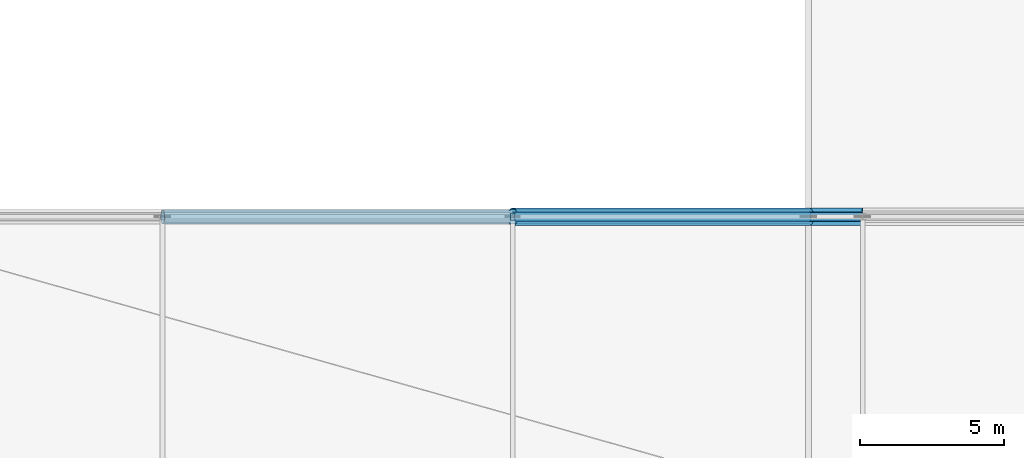
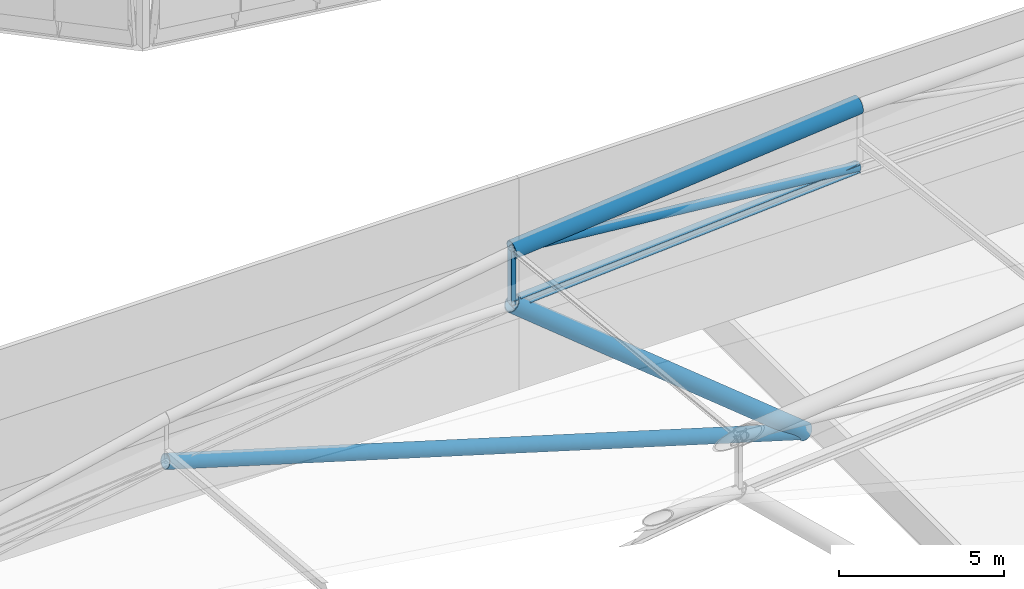
# One storey, part 50 of 113: 6 members.
"""IFC4 building model written with IfcOpenShell, lengths in metres."""

import ifcopenshell
import ifcopenshell.guid

model = None  # the IFC model being written
_history = None  # IfcOwnerHistory: only IFC2X3 demands one
_inside = {}  # id of a spatial element -> (the spatial element, [elements in it])
_under = {}  # id of a project, library or spatial element -> (it, [spatial elements below it])
_declared = {}  # id of a project -> (the project, [libraries it declares])
_typed = {}  # id of a type object -> (the type object, [elements of that type])
_made_of = {}  # id of a material, layer set ... -> (it, [elements and type objects made of it])


def new_model(schema):
    """Start an empty IFC model of exactly this schema.

    Asked for "IFC4X3", IfcOpenShell would pick the latest addendum, in which some entities
    have other attributes; the version numbers below select the first issue.
    IFC2X3 requires an IfcOwnerHistory on every rooted entity: one is made here for all.
    """
    global model, _history
    if schema == "IFC4X3":
        model = ifcopenshell.file(schema_version=(4, 3, 0, 0))
    else:
        model = ifcopenshell.file(schema=schema)
    _inside.clear()
    _under.clear()
    _declared.clear()
    _typed.clear()
    _made_of.clear()
    _history = None
    if model.schema == "IFC2X3":
        org = make("IfcOrganization", Name="unknown")
        user = make(
            "IfcPersonAndOrganization",
            ThePerson=make("IfcPerson", FamilyName="unknown"),
            TheOrganization=org,
        )
        app = make(
            "IfcApplication",
            ApplicationDeveloper=org,
            Version="unknown",
            ApplicationFullName="unknown",
            ApplicationIdentifier="unknown",
        )
        _history = make(
            "IfcOwnerHistory",
            OwningUser=user,
            OwningApplication=app,
            ChangeAction="ADDED",
            CreationDate=0,
        )
    return model


def make(cls, **values):
    """One entity of the class cls with the attributes given. An attribute that is None is left unset."""
    return model.create_entity(
        cls, **{name: value for name, value in values.items() if value is not None}
    )


def rooted(cls, **values):
    """An entity with a GlobalId (a new one), such as an element, a storey or a relation."""
    return make(cls, GlobalId=ifcopenshell.guid.new(), OwnerHistory=_history, **values)


def si_unit(unit_type, name, prefix=None):
    """IfcSIUnit, for example si_unit("LENGTHUNIT", "METRE", prefix="MILLI")."""
    return make("IfcSIUnit", UnitType=unit_type, Prefix=prefix, Name=name)


def assignment(units):
    """IfcUnitAssignment: the units of a project."""
    return None if units is None else make("IfcUnitAssignment", Units=units)


def point(xyz):
    """IfcCartesianPoint."""
    return None if xyz is None else make("IfcCartesianPoint", Coordinates=xyz)


def direction(xyz):
    """IfcDirection."""
    return None if xyz is None else make("IfcDirection", DirectionRatios=xyz)


def frame(location, z_axis=None, x_axis=None):
    """IfcAxis2Placement3D, a coordinate frame: its origin and axes. An axis left out is left unset."""
    return make(
        "IfcAxis2Placement3D",
        Location=point(location),
        Axis=direction(z_axis),
        RefDirection=direction(x_axis),
    )


def frame_2d(location, x_axis=None):
    """IfcAxis2Placement2D, a coordinate frame in the plane: its origin and x axis."""
    return make(
        "IfcAxis2Placement2D", Location=point(location), RefDirection=direction(x_axis)
    )


def origin():
    """The frame at (0, 0, 0) with its axes left unset."""
    return frame((0.0, 0.0, 0.0))


def origin_2d():
    """The frame at (0, 0) in the plane with its x axis left unset."""
    return frame_2d((0.0, 0.0))


def place(relative_to, where):
    """IfcLocalPlacement: puts the frame where relative to a parent placement (None: the world)."""
    return make(
        "IfcLocalPlacement", PlacementRelTo=relative_to, RelativePlacement=where
    )


def context(
    kind, dimensions, precision=None, world=None, true_north=None, identifier=None
):
    """IfcGeometricRepresentationContext, for example the 3D "Model" context."""
    return make(
        "IfcGeometricRepresentationContext",
        ContextIdentifier=identifier,
        ContextType=kind,
        CoordinateSpaceDimension=dimensions,
        Precision=precision,
        WorldCoordinateSystem=world,
        TrueNorth=true_north,
    )


def subcontext(parent, identifier, kind, view, scale=None):
    """IfcGeometricRepresentationSubContext, for example "Body" below "Model"."""
    return make(
        "IfcGeometricRepresentationSubContext",
        ContextIdentifier=identifier,
        ContextType=kind,
        ParentContext=parent,
        TargetScale=scale,
        TargetView=view,
    )


def project(units=None, contexts=None):
    """IfcProject with its units and contexts."""
    return rooted(
        "IfcProject",
        Name="project",
        RepresentationContexts=contexts,
        UnitsInContext=assignment(units),
    )


def spatial(cls, under=None, at=None, **own):
    """A site, building, storey or space (cls), placed at a placement, below another one or the project."""
    s = rooted(cls, ObjectPlacement=at, **own)
    if under is not None:
        _under.setdefault(under.id(), (under, []))[1].append(s)
    return s


def profile(cls, at=None, kind="AREA", **sizes):
    """A parametric profile (cls). Its sizes go by their IFC names, for example OverallWidth=200.0."""
    return make(cls, ProfileType=kind, Position=at, **sizes)


def hollow_rectangle(**sizes):
    """IfcRectangleHollowProfileDef."""
    return profile("IfcRectangleHollowProfileDef", **sizes)


def hollow_circle(**sizes):
    """IfcCircleHollowProfileDef."""
    return profile("IfcCircleHollowProfileDef", **sizes)


def i_section(**sizes):
    """IfcIShapeProfileDef."""
    return profile("IfcIShapeProfileDef", **sizes)


def extrude(swept, where, along, depth):
    """IfcExtrudedAreaSolid: the profile swept, set in the frame where, extruded along a direction by depth."""
    return make(
        "IfcExtrudedAreaSolid",
        SweptArea=swept,
        Position=where,
        ExtrudedDirection=direction(along),
        Depth=depth,
    )


def shape(context_of_items, identifier, shape_type, items):
    """IfcShapeRepresentation: the items that make up one representation, for example the "Body"."""
    return make(
        "IfcShapeRepresentation",
        ContextOfItems=context_of_items,
        RepresentationIdentifier=identifier,
        RepresentationType=shape_type,
        Items=items,
    )


def material(Name=None, Category=None):
    """IfcMaterial."""
    return make("IfcMaterial", Name=Name, Category=Category)


def material_profile(
    of_material, cross_section, Name=None, Category=None, Priority=None
):
    """IfcMaterialProfile: a cross section and its material."""
    return make(
        "IfcMaterialProfile",
        Name=Name,
        Material=of_material,
        Profile=cross_section,
        Priority=Priority,
        Category=Category,
    )


def profile_set(profiles, Name=None, composite=None):
    """IfcMaterialProfileSet."""
    return make(
        "IfcMaterialProfileSet",
        Name=Name,
        MaterialProfiles=profiles,
        CompositeProfile=composite,
    )


def made_of(thing, what):
    """Note that an element or type object is made of a material, layer set ...; save() writes the relation."""
    if what is not None:
        _made_of.setdefault(what.id(), (what, []))[1].append(thing)
    return thing


def type_object(cls, material=None, **own):
    """A type object (cls), such as IfcWallType, which elements share."""
    return made_of(rooted(cls, **own), material)


def element(
    cls,
    number,
    at=None,
    inside=None,
    cuts=None,
    type_object=None,
    material=None,
    context=None,
    identifier="Body",
    shape_type=None,
    held_by="IfcProductDefinitionShape",
    body=None,
    shapes=None,
    **own,
):
    """One element of the class cls, such as IfcWall. Its Tag is "e" and its number.

    at: its placement. inside: the storey or other place that contains it. cuts: it is an
    opening in that element (IfcRelVoidsElement). A single representation is given by context,
    identifier, shape_type and body (its items); several are given by shapes. held_by: the class
    of the entity that holds the representations. save() writes the other relations.
    """
    e = rooted(cls, Tag="e%d" % number, ObjectPlacement=at, **own)
    if body is not None:
        shapes = [shape(context, identifier, shape_type, body)]
    if shapes is not None:
        e.Representation = make(held_by, Representations=shapes)
    if inside is not None:
        _inside.setdefault(inside.id(), (inside, []))[1].append(e)
    if cuts is not None:
        rooted(
            "IfcRelVoidsElement", RelatingBuildingElement=cuts, RelatedOpeningElement=e
        )
    if type_object is not None:
        _typed.setdefault(type_object.id(), (type_object, []))[1].append(e)
    return made_of(e, material)


def aggregate(whole, parts):
    """IfcRelAggregates: a whole, such as a stair, and the parts it consists of."""
    return rooted("IfcRelAggregates", RelatingObject=whole, RelatedObjects=parts)


def save(model, path):
    """Write the relations noted so far, then the file.

    IfcRelAggregates (storeys below a building ...), IfcRelContainedInSpatialStructure (elements
    in a storey), IfcRelDefinesByType, IfcRelAssociatesMaterial and IfcRelDeclares: one each for
    every whole, place, type object, material and project.
    """
    for whole, parts in _under.values():
        aggregate(whole, parts)
    for where, things in _inside.values():
        rooted(
            "IfcRelContainedInSpatialStructure",
            RelatedElements=things,
            RelatingStructure=where,
        )
    for kind, things in _typed.values():
        rooted("IfcRelDefinesByType", RelatedObjects=things, RelatingType=kind)
    for what, things in _made_of.values():
        rooted("IfcRelAssociatesMaterial", RelatedObjects=things, RelatingMaterial=what)
    for by, libraries in _declared.values():
        rooted("IfcRelDeclares", RelatingContext=by, RelatedDefinitions=libraries)
    model.write(path)


model = new_model("IFC4")

# Units and contexts
model_context = context("Model", 3, precision=1e-05, world=origin(), true_north=direction((0.0, 1.0)))
body_context = subcontext(model_context, "Body", "Model", "MODEL_VIEW")
ifc_project = project(units=[si_unit("LENGTHUNIT", "METRE"), si_unit("AREAUNIT", "SQUARE_METRE"), si_unit("VOLUMEUNIT", "CUBIC_METRE"), si_unit("PLANEANGLEUNIT", "RADIAN"), si_unit("MASSUNIT", "GRAM", prefix="KILO")], contexts=[model_context])

# Site, building, storey
site_placement = place(None, origin())
site = spatial("IfcSite", under=ifc_project, at=site_placement, CompositionType="ELEMENT")
building_placement = place(site_placement, origin())
building = spatial("IfcBuilding", under=site, at=building_placement, Name="Linyun Crest Stadium", CompositionType="ELEMENT")
storey_placement = place(building_placement, frame((0.0, 0.0, 26.39990234375)))
storey = spatial("IfcBuildingStorey", under=building, at=storey_placement, Name="L06", CompositionType="ELEMENT", Elevation=26.39990234375)

# Members
ifc_material_1 = material(Name="Steel Q420C", Category="steel")
ifc_material_profile_1 = material_profile(ifc_material_1, hollow_circle(Radius=0.25390625, WallThickness=0.02490234375, at=origin_2d()), Name="CHS 508x25")
ifc_profile_set_1 = profile_set([ifc_material_profile_1], Name="Steel Q420C")
member_type_1 = type_object("IfcMemberType", Name="TC01", PredefinedType="CHORD", material=ifc_profile_set_1)
member_1_placement = place(storey_placement, frame((70.0, 43.375, -0.21484375), z_axis=(-0.957680635582, 0.0, 0.287832938058), x_axis=(0.0, -1.0, 0.0)))
element("IfcMember", 1, at=member_1_placement, inside=storey, type_object=member_type_1, Name="Roof arch forward V-strut TC01 V2 332", PredefinedType="CHORD", context=body_context, shape_type="SweptSolid", body=[
    extrude(hollow_circle(Radius=0.25390625, WallThickness=0.02490234375, at=origin_2d()), origin(), (0.0, 0.0, 1.0), 23.36376953125),
])
ifc_material_2 = material(Name="Steel Q420C", Category="steel")
ifc_material_profile_2 = material_profile(ifc_material_2, hollow_circle(Radius=0.304931640625, WallThickness=0.030029296875, at=origin_2d()), Name="CHS 610x30")
ifc_profile_set_2 = profile_set([ifc_material_profile_2], Name="Steel Q420C")
member_type_2 = type_object("IfcMemberType", Name="TC02", PredefinedType="CHORD", material=ifc_profile_set_2)
member_2_placement = place(storey_placement, frame((71.875, 43.375, 11.22509765625), z_axis=(-0.995715823804, 0.0, -0.092466200455), x_axis=(0.0, -1.0, 0.0)))
element("IfcMember", 2, at=member_2_placement, inside=storey, type_object=member_type_2, Name="Roof truss top chord TC02 V2 319", PredefinedType="CHORD", context=body_context, shape_type="SweptSolid", body=[
    extrude(hollow_circle(Radius=0.304931640625, WallThickness=0.030029296875, at=origin_2d()), origin(), (0.0, 0.0, 1.0), 12.17724609375),
])
member_3_placement = place(storey_placement, frame((70.0, 43.375, -0.21484375), z_axis=(-0.775752151556, 0.0, 0.631037716271), x_axis=(0.0, -1.0, 0.0)))
element("IfcMember", 3, at=member_3_placement, inside=storey, type_object=member_type_2, Name="Roof arch inclined support strut TC02 V2 331", PredefinedType="CHORD", context=body_context, shape_type="SweptSolid", body=[
    extrude(hollow_circle(Radius=0.304931640625, WallThickness=0.030029296875, at=origin_2d()), origin(), (0.0, 0.0, 1.0), 13.212890625),
])
ifc_material_3 = material(Name="Steel Q355C", Category="steel")
ifc_material_profile_3 = material_profile(ifc_material_3, i_section(OverallWidth=0.300048828125, OverallDepth=0.300048828125, WebThickness=0.010009765625, FlangeThickness=0.014892578125, at=origin_2d()), Name="HW 300x300")
ifc_profile_set_3 = profile_set([ifc_material_profile_3], Name="Steel Q355C")
member_type_3 = type_object("IfcMemberType", Name="TC03", PredefinedType="CHORD", material=ifc_profile_set_3)
member_4_placement = place(storey_placement, frame((71.875, 43.375, 8.93701171875), z_axis=(-0.997754293797, 0.0, -0.066980364359), x_axis=(0.0, -1.0, 0.0)))
element("IfcMember", 4, at=member_4_placement, inside=storey, type_object=member_type_3, Name="Roof truss bottom chord TC03 V2 320", PredefinedType="CHORD", context=body_context, shape_type="SweptSolid", body=[
    extrude(i_section(OverallWidth=0.300048828125, OverallDepth=0.300048828125, WebThickness=0.010009765625, FlangeThickness=0.014892578125, at=origin_2d()), origin(), (0.0, 0.0, 1.0), 12.15234375),
])
ifc_material_4 = material(Name="Steel Q355C", Category="steel")
ifc_material_profile_4 = material_profile(ifc_material_4, hollow_circle(Radius=0.16259765625, WallThickness=0.01611328125, at=origin_2d()), Name="CHS 325x16")
ifc_profile_set_4 = profile_set([ifc_material_profile_4], Name="Steel Q355C")
member_type_4 = type_object("IfcMemberType", Name="TD02", PredefinedType="BRACE", material=ifc_profile_set_4)
member_5_placement = place(storey_placement, frame((71.875, 43.375, 8.93701171875), z_axis=(-0.995438360676, 0.0, 0.095406866076), x_axis=(0.0, -1.0, 0.0)))
element("IfcMember", 5, at=member_5_placement, inside=storey, type_object=member_type_4, Name="Roof truss diagonal TD02 V2 321", PredefinedType="BRACE", context=body_context, shape_type="SweptSolid", body=[
    extrude(hollow_circle(Radius=0.16259765625, WallThickness=0.01611328125, at=origin_2d()), origin(), (0.0, 0.0, 1.0), 12.1806640625),
])
ifc_material_5 = material(Name="Steel Q355C", Category="steel")
ifc_material_profile_5 = material_profile(ifc_material_5, hollow_rectangle(XDim=0.14990234375, YDim=0.25, WallThickness=0.010009765625, at=origin_2d()), Name="RHS 250x150x10")
ifc_profile_set_5 = profile_set([ifc_material_profile_5], Name="Steel Q355C")
member_type_5 = type_object("IfcMemberType", Name="TV03", PredefinedType="STRUT", material=ifc_profile_set_5)
member_6_placement = place(storey_placement, frame((59.75, 43.375, 8.123046875), z_axis=(0.0, 0.0, 1.0), x_axis=(1.0, 0.0, 0.0)))
element("IfcMember", 6, at=member_6_placement, inside=storey, type_object=member_type_5, Name="Roof vertical strut TV03 V2 326", PredefinedType="STRUT", context=body_context, shape_type="SweptSolid", body=[
    extrude(hollow_rectangle(XDim=0.14990234375, YDim=0.25, WallThickness=0.010009765625, at=origin_2d()), origin(), (0.0, 0.0, 1.0), 1.97607421875),
])

save(model, "model.ifc")
